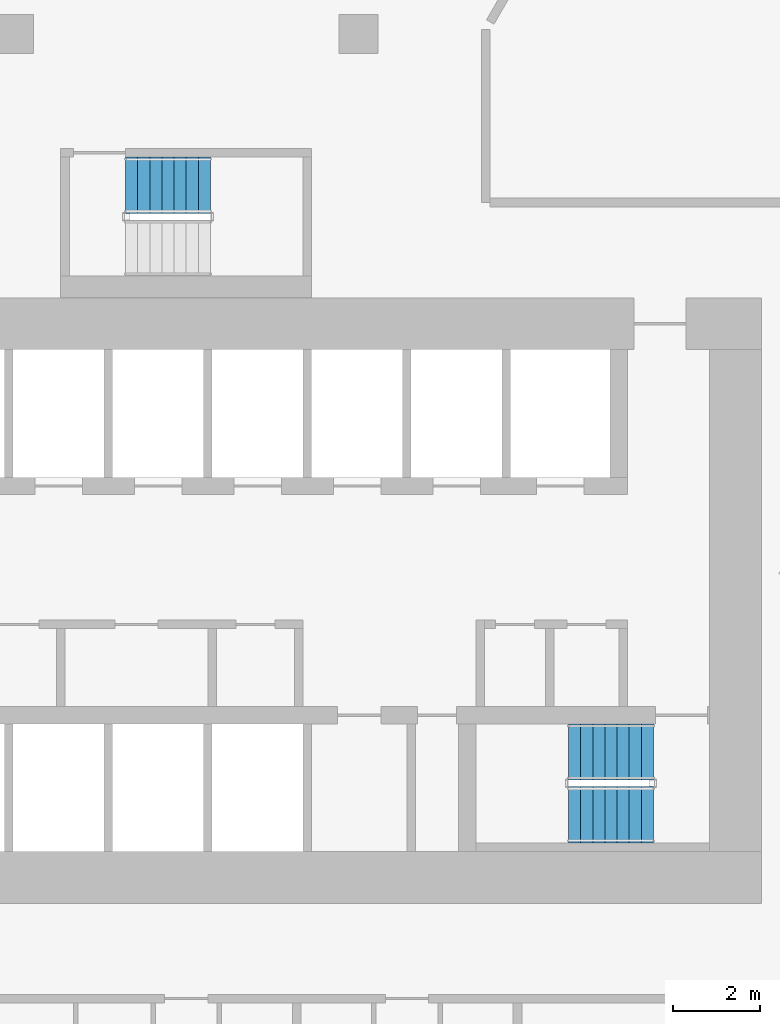
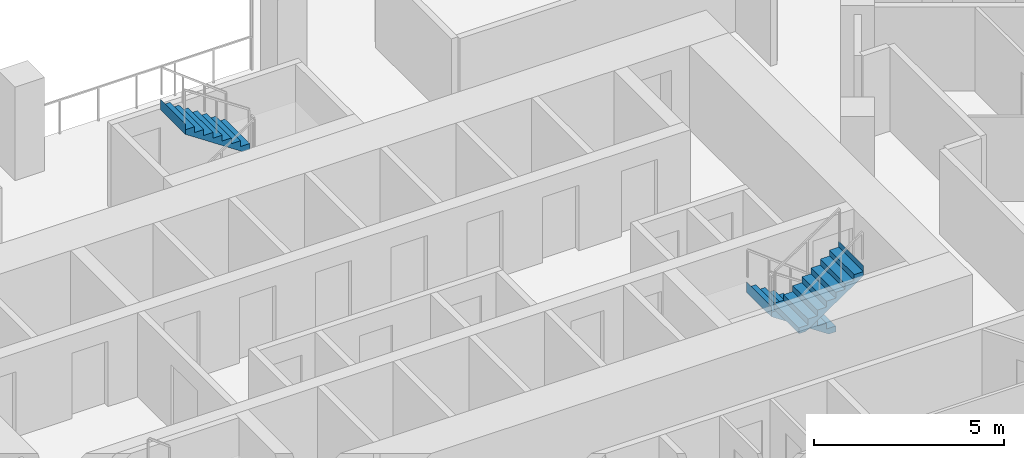
# One storey, part 12 of 16: 3 stair flights, 2 elements without a shape of their own.
"""IFC4 building model written with IfcOpenShell, lengths in metres."""

from ifc_helpers import new_model, si_unit, direction, frame, origin, place, context, subcontext, project, spatial, triangles, material, type_object, element, aggregate, save


model = new_model("IFC4")

# Units and contexts
model_context = context("Model", 3, precision=1e-05, world=origin(), true_north=direction((0.0, 1.0)))
body_context = subcontext(model_context, "Body", "Model", "MODEL_VIEW")
ifc_project = project(units=[si_unit("LENGTHUNIT", "METRE"), si_unit("AREAUNIT", "SQUARE_METRE"), si_unit("VOLUMEUNIT", "CUBIC_METRE"), si_unit("PLANEANGLEUNIT", "RADIAN"), si_unit("MASSUNIT", "GRAM", prefix="KILO")], contexts=[model_context])

# Site, building, storey
site_placement = place(None, origin())
site = spatial("IfcSite", under=ifc_project, at=site_placement, CompositionType="ELEMENT")
building_placement = place(site_placement, origin())
building = spatial("IfcBuilding", under=site, at=building_placement, Name="Beryl Residences", CompositionType="ELEMENT")
storey_placement = place(building_placement, frame((0.0, 0.0, 32.39990234375)))
storey = spatial("IfcBuildingStorey", under=building, at=storey_placement, Name="L09", CompositionType="ELEMENT", Elevation=32.39990234375)

# Stair, stair flights
ifc_material_1 = material(Name="Concrete C40/50", Category="concrete")
stair_type = type_object("IfcStairType", Name="ST1 protected exit stair, half-turn, 1300 mm flights", PredefinedType="HALF_TURN_STAIR", material=ifc_material_1)
stair_1_placement = place(storey_placement, origin())
stair_1 = element("IfcStair", 1, at=stair_1_placement, inside=storey, type_object=stair_type, Name="L09 PROTECTED EXIT STAIR ST-3", PredefinedType="HALF_TURN_STAIR")
ifc_material_2 = material(Name="Concrete C40/50", Category="concrete")
stair_flight_type = type_object("IfcStairFlightType", Name="SF1 stair flight 1300 mm", PredefinedType="STRAIGHT", material=ifc_material_2)
stair_flight_1_placement = place(storey_placement, frame((10.800048828125, -15.5, 0.0), z_axis=(0.0, 0.0, 1.0), x_axis=(-1.0, 0.0, 0.0)))
stair_flight_1 = element("IfcStairFlight", 2, at=stair_flight_1_placement, type_object=stair_flight_type, Name="ST-3 flight 1", NumberOfRisers=8, NumberOfTreads=7, PredefinedType="STRAIGHT", RiserHeight=0.1875, TreadLength=0.28, context=body_context, shape_type="Tessellation", body=[
    triangles([(0.0, -0.64990234375, 0.0), (0.0, -0.324951171875, 0.0), (0.0, 0.0, 0.0), (0.0, 0.324951171875, 0.0), (0.0, 0.64990234375, 0.0), (0.0, -0.64990234375, 0.1875), (0.0, -0.324951171875, 0.1875), (0.0, 0.0, 0.1875), (0.0, 0.324951171875, 0.1875), (0.0, 0.64990234375, 0.1875), (0.280029296875, -0.64990234375, 0.1875), (0.280029296875, -0.324951171875, 0.1875), (0.280029296875, 0.0, 0.1875), (0.280029296875, 0.324951171875, 0.1875), (0.280029296875, 0.64990234375, 0.1875), (0.280029296875, -0.64990234375, 0.375), (0.280029296875, -0.324951171875, 0.375), (0.280029296875, 0.0, 0.375), (0.280029296875, 0.324951171875, 0.375), (0.280029296875, 0.64990234375, 0.375), (0.56005859375, -0.64990234375, 0.375), (0.56005859375, -0.324951171875, 0.375), (0.56005859375, 0.0, 0.375), (0.56005859375, 0.324951171875, 0.375), (0.56005859375, 0.64990234375, 0.375), (0.56005859375, -0.64990234375, 0.5625), (0.56005859375, -0.324951171875, 0.5625), (0.56005859375, 0.0, 0.5625), (0.56005859375, 0.324951171875, 0.5625), (0.56005859375, 0.64990234375, 0.5625), (0.840087890625, -0.64990234375, 0.5625), (0.840087890625, -0.324951171875, 0.5625), (0.840087890625, 0.0, 0.5625), (0.840087890625, 0.324951171875, 0.5625), (0.840087890625, 0.64990234375, 0.5625), (0.840087890625, -0.64990234375, 0.75), (0.840087890625, -0.324951171875, 0.75), (0.840087890625, 0.0, 0.75), (0.840087890625, 0.324951171875, 0.75), (0.840087890625, 0.64990234375, 0.75), (1.1201171875, -0.64990234375, 0.75), (1.1201171875, -0.324951171875, 0.75), (1.1201171875, 0.0, 0.75), (1.1201171875, 0.324951171875, 0.75), (1.1201171875, 0.64990234375, 0.75), (1.1201171875, -0.64990234375, 0.9375), (1.1201171875, -0.324951171875, 0.9375), (1.1201171875, 0.0, 0.9375), (1.1201171875, 0.324951171875, 0.9375), (1.1201171875, 0.64990234375, 0.9375), (1.39990234375, -0.64990234375, 0.9375), (1.39990234375, -0.324951171875, 0.9375), (1.39990234375, 0.0, 0.9375), (1.39990234375, 0.324951171875, 0.9375), (1.39990234375, 0.64990234375, 0.9375), (1.39990234375, -0.64990234375, 1.125), (1.39990234375, -0.324951171875, 1.125), (1.39990234375, 0.0, 1.125), (1.39990234375, 0.324951171875, 1.125), (1.39990234375, 0.64990234375, 1.125), (1.679931640625, -0.64990234375, 1.125), (1.679931640625, -0.324951171875, 1.125), (1.679931640625, 0.0, 1.125), (1.679931640625, 0.324951171875, 1.125), (1.679931640625, 0.64990234375, 1.125), (1.679931640625, -0.64990234375, 1.3125), (1.679931640625, -0.324951171875, 1.3125), (1.679931640625, 0.0, 1.3125), (1.679931640625, 0.324951171875, 1.3125), (1.679931640625, 0.64990234375, 1.3125), (1.9599609375, -0.64990234375, 1.3125), (1.9599609375, -0.324951171875, 1.3125), (1.9599609375, 0.0, 1.3125), (1.9599609375, 0.324951171875, 1.3125), (1.9599609375, 0.64990234375, 1.3125), (1.9599609375, -0.64990234375, 1.5), (1.9599609375, -0.324951171875, 1.5), (1.9599609375, 0.0, 1.5), (1.9599609375, 0.324951171875, 1.5), (1.9599609375, 0.64990234375, 1.5), (1.9609375, -0.64990234375, 1.5), (1.9609375, -0.324951171875, 1.5), (1.9609375, 0.0, 1.5), (1.9609375, 0.324951171875, 1.5), (1.9609375, 0.64990234375, 1.5), (1.9609375, -0.64990234375, 1.16796875), (1.9609375, -0.324951171875, 1.16796875), (1.9609375, 0.0, 1.16796875), (1.9609375, 0.324951171875, 1.16796875), (1.9609375, 0.64990234375, 1.16796875), (0.216796875, -0.64990234375, 0.0), (0.216796875, -0.324951171875, 0.0), (0.216796875, 0.0, 0.0), (0.216796875, 0.324951171875, 0.0), (0.216796875, 0.64990234375, 0.0)], [[1, 6, 7], [1, 7, 2], [2, 7, 8], [2, 8, 3], [3, 8, 9], [3, 9, 4], [4, 9, 10], [4, 10, 5], [6, 11, 12], [6, 12, 7], [7, 12, 13], [7, 13, 8], [8, 13, 14], [8, 14, 9], [9, 14, 15], [9, 15, 10], [11, 16, 17], [11, 17, 12], [12, 17, 18], [12, 18, 13], [13, 18, 19], [13, 19, 14], [14, 19, 20], [14, 20, 15], [16, 21, 22], [16, 22, 17], [17, 22, 23], [17, 23, 18], [18, 23, 24], [18, 24, 19], [19, 24, 25], [19, 25, 20], [21, 26, 27], [21, 27, 22], [22, 27, 28], [22, 28, 23], [23, 28, 29], [23, 29, 24], [24, 29, 30], [24, 30, 25], [26, 31, 32], [26, 32, 27], [27, 32, 33], [27, 33, 28], [28, 33, 34], [28, 34, 29], [29, 34, 35], [29, 35, 30], [31, 36, 37], [31, 37, 32], [32, 37, 38], [32, 38, 33], [33, 38, 39], [33, 39, 34], [34, 39, 40], [34, 40, 35], [36, 41, 42], [36, 42, 37], [37, 42, 43], [37, 43, 38], [38, 43, 44], [38, 44, 39], [39, 44, 45], [39, 45, 40], [41, 46, 47], [41, 47, 42], [42, 47, 48], [42, 48, 43], [43, 48, 49], [43, 49, 44], [44, 49, 50], [44, 50, 45], [46, 51, 52], [46, 52, 47], [47, 52, 53], [47, 53, 48], [48, 53, 54], [48, 54, 49], [49, 54, 55], [49, 55, 50], [51, 56, 57], [51, 57, 52], [52, 57, 58], [52, 58, 53], [53, 58, 59], [53, 59, 54], [54, 59, 60], [54, 60, 55], [56, 61, 62], [56, 62, 57], [57, 62, 63], [57, 63, 58], [58, 63, 64], [58, 64, 59], [59, 64, 65], [59, 65, 60], [61, 66, 67], [61, 67, 62], [62, 67, 68], [62, 68, 63], [63, 68, 69], [63, 69, 64], [64, 69, 70], [64, 70, 65], [66, 71, 72], [66, 72, 67], [67, 72, 73], [67, 73, 68], [68, 73, 74], [68, 74, 69], [69, 74, 75], [69, 75, 70], [71, 76, 77], [71, 77, 72], [72, 77, 78], [72, 78, 73], [73, 78, 79], [73, 79, 74], [74, 79, 80], [74, 80, 75], [76, 81, 82], [76, 82, 77], [77, 82, 83], [77, 83, 78], [78, 83, 84], [78, 84, 79], [79, 84, 85], [79, 85, 80], [81, 86, 87], [81, 87, 82], [82, 87, 88], [82, 88, 83], [83, 88, 89], [83, 89, 84], [84, 89, 90], [84, 90, 85], [86, 91, 92], [86, 92, 87], [87, 92, 93], [87, 93, 88], [88, 93, 94], [88, 94, 89], [89, 94, 95], [89, 95, 90], [91, 1, 2], [91, 2, 92], [92, 2, 3], [92, 3, 93], [93, 3, 4], [93, 4, 94], [94, 4, 5], [94, 5, 95], [1, 91, 86], [5, 90, 95], [86, 81, 76], [90, 80, 85], [86, 76, 71], [90, 75, 80], [86, 71, 66], [90, 70, 75], [86, 66, 61], [90, 65, 70], [61, 56, 51], [65, 55, 60], [86, 61, 51], [90, 55, 65], [51, 46, 41], [55, 45, 50], [86, 51, 41], [90, 45, 55], [41, 36, 31], [45, 35, 40], [86, 41, 31], [90, 35, 45], [31, 26, 21], [35, 25, 30], [86, 31, 21], [90, 25, 35], [21, 16, 11], [25, 15, 20], [86, 21, 11], [90, 15, 25], [1, 86, 11], [5, 15, 90], [11, 6, 1], [15, 5, 10]], closed=True),
])
stair_flight_2_placement = place(storey_placement, frame((8.840087890625, -16.949951171875, 1.5), z_axis=(0.0, 0.0, 1.0), x_axis=(1.0, 0.0, 0.0)))
stair_flight_2 = element("IfcStairFlight", 3, at=stair_flight_2_placement, type_object=stair_flight_type, Name="ST-3 flight 2", NumberOfRisers=8, NumberOfTreads=7, PredefinedType="STRAIGHT", RiserHeight=0.1875, TreadLength=0.28, context=body_context, shape_type="Tessellation", body=[
    triangles([(0.0, -0.64990234375, 0.0), (0.0, -0.324951171875, 0.0), (0.0, 0.0, 0.0), (0.0, 0.324951171875, 0.0), (0.0, 0.64990234375, 0.0), (0.0, -0.64990234375, 0.1875), (0.0, -0.324951171875, 0.1875), (0.0, 0.0, 0.1875), (0.0, 0.324951171875, 0.1875), (0.0, 0.64990234375, 0.1875), (0.280029296875, -0.64990234375, 0.1875), (0.280029296875, -0.324951171875, 0.1875), (0.280029296875, 0.0, 0.1875), (0.280029296875, 0.324951171875, 0.1875), (0.280029296875, 0.64990234375, 0.1875), (0.280029296875, -0.64990234375, 0.375), (0.280029296875, -0.324951171875, 0.375), (0.280029296875, 0.0, 0.375), (0.280029296875, 0.324951171875, 0.375), (0.280029296875, 0.64990234375, 0.375), (0.56005859375, -0.64990234375, 0.375), (0.56005859375, -0.324951171875, 0.375), (0.56005859375, 0.0, 0.375), (0.56005859375, 0.324951171875, 0.375), (0.56005859375, 0.64990234375, 0.375), (0.56005859375, -0.64990234375, 0.5625), (0.56005859375, -0.324951171875, 0.5625), (0.56005859375, 0.0, 0.5625), (0.56005859375, 0.324951171875, 0.5625), (0.56005859375, 0.64990234375, 0.5625), (0.840087890625, -0.64990234375, 0.5625), (0.840087890625, -0.324951171875, 0.5625), (0.840087890625, 0.0, 0.5625), (0.840087890625, 0.324951171875, 0.5625), (0.840087890625, 0.64990234375, 0.5625), (0.840087890625, -0.64990234375, 0.75), (0.840087890625, -0.324951171875, 0.75), (0.840087890625, 0.0, 0.75), (0.840087890625, 0.324951171875, 0.75), (0.840087890625, 0.64990234375, 0.75), (1.1201171875, -0.64990234375, 0.75), (1.1201171875, -0.324951171875, 0.75), (1.1201171875, 0.0, 0.75), (1.1201171875, 0.324951171875, 0.75), (1.1201171875, 0.64990234375, 0.75), (1.1201171875, -0.64990234375, 0.9375), (1.1201171875, -0.324951171875, 0.9375), (1.1201171875, 0.0, 0.9375), (1.1201171875, 0.324951171875, 0.9375), (1.1201171875, 0.64990234375, 0.9375), (1.39990234375, -0.64990234375, 0.9375), (1.39990234375, -0.324951171875, 0.9375), (1.39990234375, 0.0, 0.9375), (1.39990234375, 0.324951171875, 0.9375), (1.39990234375, 0.64990234375, 0.9375), (1.39990234375, -0.64990234375, 1.125), (1.39990234375, -0.324951171875, 1.125), (1.39990234375, 0.0, 1.125), (1.39990234375, 0.324951171875, 1.125), (1.39990234375, 0.64990234375, 1.125), (1.679931640625, -0.64990234375, 1.125), (1.679931640625, -0.324951171875, 1.125), (1.679931640625, 0.0, 1.125), (1.679931640625, 0.324951171875, 1.125), (1.679931640625, 0.64990234375, 1.125), (1.679931640625, -0.64990234375, 1.3125), (1.679931640625, -0.324951171875, 1.3125), (1.679931640625, 0.0, 1.3125), (1.679931640625, 0.324951171875, 1.3125), (1.679931640625, 0.64990234375, 1.3125), (1.9599609375, -0.64990234375, 1.3125), (1.9599609375, -0.324951171875, 1.3125), (1.9599609375, 0.0, 1.3125), (1.9599609375, 0.324951171875, 1.3125), (1.9599609375, 0.64990234375, 1.3125), (1.9599609375, -0.64990234375, 1.5), (1.9599609375, -0.324951171875, 1.5), (1.9599609375, 0.0, 1.5), (1.9599609375, 0.324951171875, 1.5), (1.9599609375, 0.64990234375, 1.5), (1.9609375, -0.64990234375, 1.5), (1.9609375, -0.324951171875, 1.5), (1.9609375, 0.0, 1.5), (1.9609375, 0.324951171875, 1.5), (1.9609375, 0.64990234375, 1.5), (1.9609375, -0.64990234375, 1.16796875), (1.9609375, -0.324951171875, 1.16796875), (1.9609375, 0.0, 1.16796875), (1.9609375, 0.324951171875, 1.16796875), (1.9609375, 0.64990234375, 1.16796875), (0.216796875, -0.64990234375, 0.0), (0.216796875, -0.324951171875, 0.0), (0.216796875, 0.0, 0.0), (0.216796875, 0.324951171875, 0.0), (0.216796875, 0.64990234375, 0.0)], [[1, 6, 7], [1, 7, 2], [2, 7, 8], [2, 8, 3], [3, 8, 9], [3, 9, 4], [4, 9, 10], [4, 10, 5], [6, 11, 12], [6, 12, 7], [7, 12, 13], [7, 13, 8], [8, 13, 14], [8, 14, 9], [9, 14, 15], [9, 15, 10], [11, 16, 17], [11, 17, 12], [12, 17, 18], [12, 18, 13], [13, 18, 19], [13, 19, 14], [14, 19, 20], [14, 20, 15], [16, 21, 22], [16, 22, 17], [17, 22, 23], [17, 23, 18], [18, 23, 24], [18, 24, 19], [19, 24, 25], [19, 25, 20], [21, 26, 27], [21, 27, 22], [22, 27, 28], [22, 28, 23], [23, 28, 29], [23, 29, 24], [24, 29, 30], [24, 30, 25], [26, 31, 32], [26, 32, 27], [27, 32, 33], [27, 33, 28], [28, 33, 34], [28, 34, 29], [29, 34, 35], [29, 35, 30], [31, 36, 37], [31, 37, 32], [32, 37, 38], [32, 38, 33], [33, 38, 39], [33, 39, 34], [34, 39, 40], [34, 40, 35], [36, 41, 42], [36, 42, 37], [37, 42, 43], [37, 43, 38], [38, 43, 44], [38, 44, 39], [39, 44, 45], [39, 45, 40], [41, 46, 47], [41, 47, 42], [42, 47, 48], [42, 48, 43], [43, 48, 49], [43, 49, 44], [44, 49, 50], [44, 50, 45], [46, 51, 52], [46, 52, 47], [47, 52, 53], [47, 53, 48], [48, 53, 54], [48, 54, 49], [49, 54, 55], [49, 55, 50], [51, 56, 57], [51, 57, 52], [52, 57, 58], [52, 58, 53], [53, 58, 59], [53, 59, 54], [54, 59, 60], [54, 60, 55], [56, 61, 62], [56, 62, 57], [57, 62, 63], [57, 63, 58], [58, 63, 64], [58, 64, 59], [59, 64, 65], [59, 65, 60], [61, 66, 67], [61, 67, 62], [62, 67, 68], [62, 68, 63], [63, 68, 69], [63, 69, 64], [64, 69, 70], [64, 70, 65], [66, 71, 72], [66, 72, 67], [67, 72, 73], [67, 73, 68], [68, 73, 74], [68, 74, 69], [69, 74, 75], [69, 75, 70], [71, 76, 77], [71, 77, 72], [72, 77, 78], [72, 78, 73], [73, 78, 79], [73, 79, 74], [74, 79, 80], [74, 80, 75], [76, 81, 82], [76, 82, 77], [77, 82, 83], [77, 83, 78], [78, 83, 84], [78, 84, 79], [79, 84, 85], [79, 85, 80], [81, 86, 87], [81, 87, 82], [82, 87, 88], [82, 88, 83], [83, 88, 89], [83, 89, 84], [84, 89, 90], [84, 90, 85], [86, 91, 92], [86, 92, 87], [87, 92, 93], [87, 93, 88], [88, 93, 94], [88, 94, 89], [89, 94, 95], [89, 95, 90], [91, 1, 2], [91, 2, 92], [92, 2, 3], [92, 3, 93], [93, 3, 4], [93, 4, 94], [94, 4, 5], [94, 5, 95], [1, 91, 86], [5, 90, 95], [86, 81, 76], [90, 80, 85], [86, 76, 71], [90, 75, 80], [86, 71, 66], [90, 70, 75], [86, 66, 61], [90, 65, 70], [61, 56, 51], [65, 55, 60], [86, 61, 51], [90, 55, 65], [51, 46, 41], [55, 45, 50], [86, 51, 41], [90, 45, 55], [41, 36, 31], [45, 35, 40], [86, 41, 31], [90, 35, 45], [31, 26, 21], [35, 25, 30], [86, 31, 21], [90, 25, 35], [21, 16, 11], [25, 15, 20], [86, 21, 11], [90, 15, 25], [1, 86, 11], [5, 15, 90], [11, 6, 1], [15, 5, 10]], closed=True),
])
aggregate(stair_1, [stair_flight_1, stair_flight_2])

# Stair, stair flight
stair_2_placement = place(storey_placement, origin())
stair_2 = element("IfcStair", 4, at=stair_2_placement, inside=storey, type_object=stair_type, Name="L09 PROTECTED EXIT STAIR ST-4", PredefinedType="HALF_TURN_STAIR")
stair_flight_3_placement = place(storey_placement, frame((0.56005859375, -2.39990234375, 1.5), z_axis=(0.0, 0.0, 1.0), x_axis=(-1.0, 0.0, 0.0)))
stair_flight_3 = element("IfcStairFlight", 5, at=stair_flight_3_placement, type_object=stair_flight_type, Name="ST-4 flight 2", NumberOfRisers=8, NumberOfTreads=7, PredefinedType="STRAIGHT", RiserHeight=0.1875, TreadLength=0.28, context=body_context, shape_type="Tessellation", body=[
    triangles([(0.0, -0.64990234375, 0.0), (0.0, -0.324951171875, 0.0), (0.0, 0.0, 0.0), (0.0, 0.324951171875, 0.0), (0.0, 0.64990234375, 0.0), (0.0, -0.64990234375, 0.1875), (0.0, -0.324951171875, 0.1875), (0.0, 0.0, 0.1875), (0.0, 0.324951171875, 0.1875), (0.0, 0.64990234375, 0.1875), (0.280029296875, -0.64990234375, 0.1875), (0.280029296875, -0.324951171875, 0.1875), (0.280029296875, 0.0, 0.1875), (0.280029296875, 0.324951171875, 0.1875), (0.280029296875, 0.64990234375, 0.1875), (0.280029296875, -0.64990234375, 0.375), (0.280029296875, -0.324951171875, 0.375), (0.280029296875, 0.0, 0.375), (0.280029296875, 0.324951171875, 0.375), (0.280029296875, 0.64990234375, 0.375), (0.56005859375, -0.64990234375, 0.375), (0.56005859375, -0.324951171875, 0.375), (0.56005859375, 0.0, 0.375), (0.56005859375, 0.324951171875, 0.375), (0.56005859375, 0.64990234375, 0.375), (0.56005859375, -0.64990234375, 0.5625), (0.56005859375, -0.324951171875, 0.5625), (0.56005859375, 0.0, 0.5625), (0.56005859375, 0.324951171875, 0.5625), (0.56005859375, 0.64990234375, 0.5625), (0.840087890625, -0.64990234375, 0.5625), (0.840087890625, -0.324951171875, 0.5625), (0.840087890625, 0.0, 0.5625), (0.840087890625, 0.324951171875, 0.5625), (0.840087890625, 0.64990234375, 0.5625), (0.840087890625, -0.64990234375, 0.75), (0.840087890625, -0.324951171875, 0.75), (0.840087890625, 0.0, 0.75), (0.840087890625, 0.324951171875, 0.75), (0.840087890625, 0.64990234375, 0.75), (1.1201171875, -0.64990234375, 0.75), (1.1201171875, -0.324951171875, 0.75), (1.1201171875, 0.0, 0.75), (1.1201171875, 0.324951171875, 0.75), (1.1201171875, 0.64990234375, 0.75), (1.1201171875, -0.64990234375, 0.9375), (1.1201171875, -0.324951171875, 0.9375), (1.1201171875, 0.0, 0.9375), (1.1201171875, 0.324951171875, 0.9375), (1.1201171875, 0.64990234375, 0.9375), (1.39990234375, -0.64990234375, 0.9375), (1.39990234375, -0.324951171875, 0.9375), (1.39990234375, 0.0, 0.9375), (1.39990234375, 0.324951171875, 0.9375), (1.39990234375, 0.64990234375, 0.9375), (1.39990234375, -0.64990234375, 1.125), (1.39990234375, -0.324951171875, 1.125), (1.39990234375, 0.0, 1.125), (1.39990234375, 0.324951171875, 1.125), (1.39990234375, 0.64990234375, 1.125), (1.679931640625, -0.64990234375, 1.125), (1.679931640625, -0.324951171875, 1.125), (1.679931640625, 0.0, 1.125), (1.679931640625, 0.324951171875, 1.125), (1.679931640625, 0.64990234375, 1.125), (1.679931640625, -0.64990234375, 1.3125), (1.679931640625, -0.324951171875, 1.3125), (1.679931640625, 0.0, 1.3125), (1.679931640625, 0.324951171875, 1.3125), (1.679931640625, 0.64990234375, 1.3125), (1.9599609375, -0.64990234375, 1.3125), (1.9599609375, -0.324951171875, 1.3125), (1.9599609375, 0.0, 1.3125), (1.9599609375, 0.324951171875, 1.3125), (1.9599609375, 0.64990234375, 1.3125), (1.9599609375, -0.64990234375, 1.5), (1.9599609375, -0.324951171875, 1.5), (1.9599609375, 0.0, 1.5), (1.9599609375, 0.324951171875, 1.5), (1.9599609375, 0.64990234375, 1.5), (1.9609375, -0.64990234375, 1.5), (1.9609375, -0.324951171875, 1.5), (1.9609375, 0.0, 1.5), (1.9609375, 0.324951171875, 1.5), (1.9609375, 0.64990234375, 1.5), (1.9609375, -0.64990234375, 1.16796875), (1.9609375, -0.324951171875, 1.16796875), (1.9609375, 0.0, 1.16796875), (1.9609375, 0.324951171875, 1.16796875), (1.9609375, 0.64990234375, 1.16796875), (0.216796875, -0.64990234375, 0.0), (0.216796875, -0.324951171875, 0.0), (0.216796875, 0.0, 0.0), (0.216796875, 0.324951171875, 0.0), (0.216796875, 0.64990234375, 0.0)], [[1, 6, 7], [1, 7, 2], [2, 7, 8], [2, 8, 3], [3, 8, 9], [3, 9, 4], [4, 9, 10], [4, 10, 5], [6, 11, 12], [6, 12, 7], [7, 12, 13], [7, 13, 8], [8, 13, 14], [8, 14, 9], [9, 14, 15], [9, 15, 10], [11, 16, 17], [11, 17, 12], [12, 17, 18], [12, 18, 13], [13, 18, 19], [13, 19, 14], [14, 19, 20], [14, 20, 15], [16, 21, 22], [16, 22, 17], [17, 22, 23], [17, 23, 18], [18, 23, 24], [18, 24, 19], [19, 24, 25], [19, 25, 20], [21, 26, 27], [21, 27, 22], [22, 27, 28], [22, 28, 23], [23, 28, 29], [23, 29, 24], [24, 29, 30], [24, 30, 25], [26, 31, 32], [26, 32, 27], [27, 32, 33], [27, 33, 28], [28, 33, 34], [28, 34, 29], [29, 34, 35], [29, 35, 30], [31, 36, 37], [31, 37, 32], [32, 37, 38], [32, 38, 33], [33, 38, 39], [33, 39, 34], [34, 39, 40], [34, 40, 35], [36, 41, 42], [36, 42, 37], [37, 42, 43], [37, 43, 38], [38, 43, 44], [38, 44, 39], [39, 44, 45], [39, 45, 40], [41, 46, 47], [41, 47, 42], [42, 47, 48], [42, 48, 43], [43, 48, 49], [43, 49, 44], [44, 49, 50], [44, 50, 45], [46, 51, 52], [46, 52, 47], [47, 52, 53], [47, 53, 48], [48, 53, 54], [48, 54, 49], [49, 54, 55], [49, 55, 50], [51, 56, 57], [51, 57, 52], [52, 57, 58], [52, 58, 53], [53, 58, 59], [53, 59, 54], [54, 59, 60], [54, 60, 55], [56, 61, 62], [56, 62, 57], [57, 62, 63], [57, 63, 58], [58, 63, 64], [58, 64, 59], [59, 64, 65], [59, 65, 60], [61, 66, 67], [61, 67, 62], [62, 67, 68], [62, 68, 63], [63, 68, 69], [63, 69, 64], [64, 69, 70], [64, 70, 65], [66, 71, 72], [66, 72, 67], [67, 72, 73], [67, 73, 68], [68, 73, 74], [68, 74, 69], [69, 74, 75], [69, 75, 70], [71, 76, 77], [71, 77, 72], [72, 77, 78], [72, 78, 73], [73, 78, 79], [73, 79, 74], [74, 79, 80], [74, 80, 75], [76, 81, 82], [76, 82, 77], [77, 82, 83], [77, 83, 78], [78, 83, 84], [78, 84, 79], [79, 84, 85], [79, 85, 80], [81, 86, 87], [81, 87, 82], [82, 87, 88], [82, 88, 83], [83, 88, 89], [83, 89, 84], [84, 89, 90], [84, 90, 85], [86, 91, 92], [86, 92, 87], [87, 92, 93], [87, 93, 88], [88, 93, 94], [88, 94, 89], [89, 94, 95], [89, 95, 90], [91, 1, 2], [91, 2, 92], [92, 2, 3], [92, 3, 93], [93, 3, 4], [93, 4, 94], [94, 4, 5], [94, 5, 95], [1, 91, 86], [5, 90, 95], [86, 81, 76], [90, 80, 85], [86, 76, 71], [90, 75, 80], [86, 71, 66], [90, 70, 75], [86, 66, 61], [90, 65, 70], [61, 56, 51], [65, 55, 60], [86, 61, 51], [90, 55, 65], [51, 46, 41], [55, 45, 50], [86, 51, 41], [90, 45, 55], [41, 36, 31], [45, 35, 40], [86, 41, 31], [90, 35, 45], [31, 26, 21], [35, 25, 30], [86, 31, 21], [90, 25, 35], [21, 16, 11], [25, 15, 20], [86, 21, 11], [90, 15, 25], [1, 86, 11], [5, 15, 90], [11, 6, 1], [15, 5, 10]], closed=True),
])
aggregate(stair_2, [stair_flight_3])

save(model, "model.ifc")
